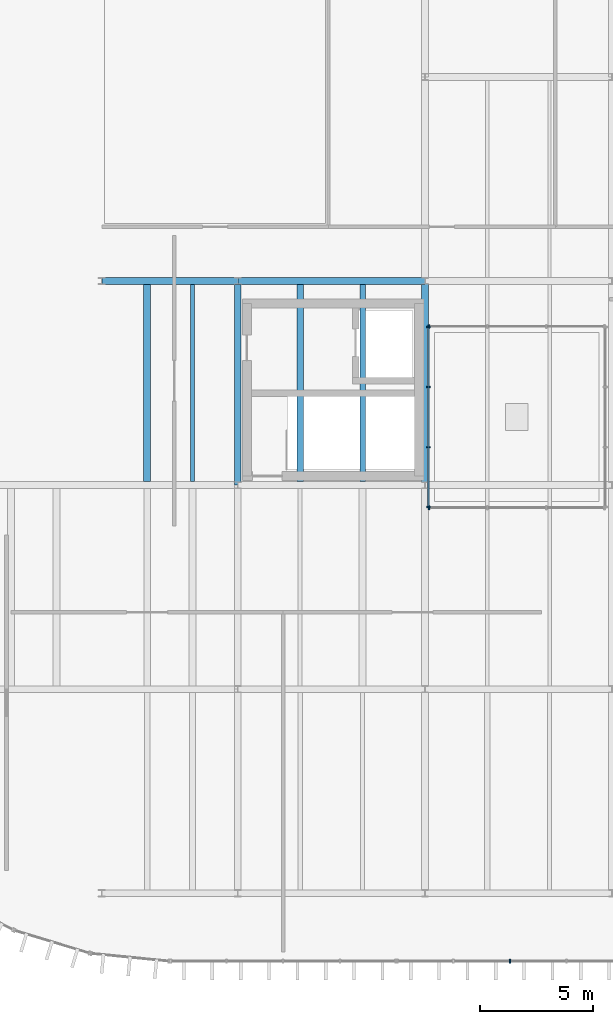
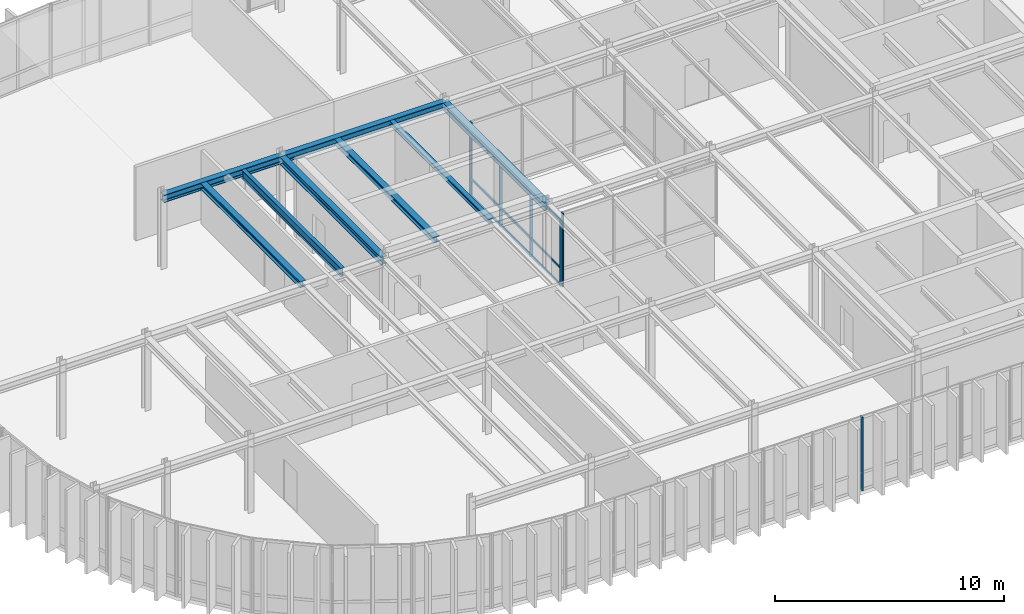
# One storey, part 9 of 21: 10 members, 8 beams, 4 elements without a shape of their own.
"""IFC4 building model written with IfcOpenShell, lengths in metres."""

import ifcopenshell
import ifcopenshell.guid

model = None  # the IFC model being written
_history = None  # IfcOwnerHistory: only IFC2X3 demands one
_inside = {}  # id of a spatial element -> (the spatial element, [elements in it])
_under = {}  # id of a project, library or spatial element -> (it, [spatial elements below it])
_declared = {}  # id of a project -> (the project, [libraries it declares])
_typed = {}  # id of a type object -> (the type object, [elements of that type])
_made_of = {}  # id of a material, layer set ... -> (it, [elements and type objects made of it])


def new_model(schema):
    """Start an empty IFC model of exactly this schema.

    Asked for "IFC4X3", IfcOpenShell would pick the latest addendum, in which some entities
    have other attributes; the version numbers below select the first issue.
    IFC2X3 requires an IfcOwnerHistory on every rooted entity: one is made here for all.
    """
    global model, _history
    if schema == "IFC4X3":
        model = ifcopenshell.file(schema_version=(4, 3, 0, 0))
    else:
        model = ifcopenshell.file(schema=schema)
    _inside.clear()
    _under.clear()
    _declared.clear()
    _typed.clear()
    _made_of.clear()
    _history = None
    if model.schema == "IFC2X3":
        org = make("IfcOrganization", Name="unknown")
        user = make(
            "IfcPersonAndOrganization",
            ThePerson=make("IfcPerson", FamilyName="unknown"),
            TheOrganization=org,
        )
        app = make(
            "IfcApplication",
            ApplicationDeveloper=org,
            Version="unknown",
            ApplicationFullName="unknown",
            ApplicationIdentifier="unknown",
        )
        _history = make(
            "IfcOwnerHistory",
            OwningUser=user,
            OwningApplication=app,
            ChangeAction="ADDED",
            CreationDate=0,
        )
    return model


def make(cls, **values):
    """One entity of the class cls with the attributes given. An attribute that is None is left unset."""
    return model.create_entity(
        cls, **{name: value for name, value in values.items() if value is not None}
    )


def rooted(cls, **values):
    """An entity with a GlobalId (a new one), such as an element, a storey or a relation."""
    return make(cls, GlobalId=ifcopenshell.guid.new(), OwnerHistory=_history, **values)


def si_unit(unit_type, name, prefix=None):
    """IfcSIUnit, for example si_unit("LENGTHUNIT", "METRE", prefix="MILLI")."""
    return make("IfcSIUnit", UnitType=unit_type, Prefix=prefix, Name=name)


def assignment(units):
    """IfcUnitAssignment: the units of a project."""
    return None if units is None else make("IfcUnitAssignment", Units=units)


def point(xyz):
    """IfcCartesianPoint."""
    return None if xyz is None else make("IfcCartesianPoint", Coordinates=xyz)


def direction(xyz):
    """IfcDirection."""
    return None if xyz is None else make("IfcDirection", DirectionRatios=xyz)


def frame(location, z_axis=None, x_axis=None):
    """IfcAxis2Placement3D, a coordinate frame: its origin and axes. An axis left out is left unset."""
    return make(
        "IfcAxis2Placement3D",
        Location=point(location),
        Axis=direction(z_axis),
        RefDirection=direction(x_axis),
    )


def frame_2d(location, x_axis=None):
    """IfcAxis2Placement2D, a coordinate frame in the plane: its origin and x axis."""
    return make(
        "IfcAxis2Placement2D", Location=point(location), RefDirection=direction(x_axis)
    )


def origin():
    """The frame at (0, 0, 0) with its axes left unset."""
    return frame((0.0, 0.0, 0.0))


def origin_2d():
    """The frame at (0, 0) in the plane with its x axis left unset."""
    return frame_2d((0.0, 0.0))


def place(relative_to, where):
    """IfcLocalPlacement: puts the frame where relative to a parent placement (None: the world)."""
    return make(
        "IfcLocalPlacement", PlacementRelTo=relative_to, RelativePlacement=where
    )


def context(
    kind, dimensions, precision=None, world=None, true_north=None, identifier=None
):
    """IfcGeometricRepresentationContext, for example the 3D "Model" context."""
    return make(
        "IfcGeometricRepresentationContext",
        ContextIdentifier=identifier,
        ContextType=kind,
        CoordinateSpaceDimension=dimensions,
        Precision=precision,
        WorldCoordinateSystem=world,
        TrueNorth=true_north,
    )


def subcontext(parent, identifier, kind, view, scale=None):
    """IfcGeometricRepresentationSubContext, for example "Body" below "Model"."""
    return make(
        "IfcGeometricRepresentationSubContext",
        ContextIdentifier=identifier,
        ContextType=kind,
        ParentContext=parent,
        TargetScale=scale,
        TargetView=view,
    )


def project(units=None, contexts=None):
    """IfcProject with its units and contexts."""
    return rooted(
        "IfcProject",
        Name="project",
        RepresentationContexts=contexts,
        UnitsInContext=assignment(units),
    )


def spatial(cls, under=None, at=None, **own):
    """A site, building, storey or space (cls), placed at a placement, below another one or the project."""
    s = rooted(cls, ObjectPlacement=at, **own)
    if under is not None:
        _under.setdefault(under.id(), (under, []))[1].append(s)
    return s


def profile(cls, at=None, kind="AREA", **sizes):
    """A parametric profile (cls). Its sizes go by their IFC names, for example OverallWidth=200.0."""
    return make(cls, ProfileType=kind, Position=at, **sizes)


def rectangle(**sizes):
    """IfcRectangleProfileDef."""
    return profile("IfcRectangleProfileDef", **sizes)


def i_section(**sizes):
    """IfcIShapeProfileDef."""
    return profile("IfcIShapeProfileDef", **sizes)


def extrude(swept, where, along, depth):
    """IfcExtrudedAreaSolid: the profile swept, set in the frame where, extruded along a direction by depth."""
    return make(
        "IfcExtrudedAreaSolid",
        SweptArea=swept,
        Position=where,
        ExtrudedDirection=direction(along),
        Depth=depth,
    )


def shape(context_of_items, identifier, shape_type, items):
    """IfcShapeRepresentation: the items that make up one representation, for example the "Body"."""
    return make(
        "IfcShapeRepresentation",
        ContextOfItems=context_of_items,
        RepresentationIdentifier=identifier,
        RepresentationType=shape_type,
        Items=items,
    )


def material(Name=None, Category=None):
    """IfcMaterial."""
    return make("IfcMaterial", Name=Name, Category=Category)


def layer(
    of_material, thickness, ventilated=None, Name=None, Category=None, Priority=None
):
    """IfcMaterialLayer: one layer of a wall or slab, of a material (None: an air gap)."""
    return make(
        "IfcMaterialLayer",
        Material=of_material,
        LayerThickness=thickness,
        IsVentilated=ventilated,
        Name=Name,
        Category=Category,
        Priority=Priority,
    )


def layer_set(layers, Name=None):
    """IfcMaterialLayerSet."""
    return make("IfcMaterialLayerSet", MaterialLayers=layers, LayerSetName=Name)


def material_profile(
    of_material, cross_section, Name=None, Category=None, Priority=None
):
    """IfcMaterialProfile: a cross section and its material."""
    return make(
        "IfcMaterialProfile",
        Name=Name,
        Material=of_material,
        Profile=cross_section,
        Priority=Priority,
        Category=Category,
    )


def profile_set(profiles, Name=None, composite=None):
    """IfcMaterialProfileSet."""
    return make(
        "IfcMaterialProfileSet",
        Name=Name,
        MaterialProfiles=profiles,
        CompositeProfile=composite,
    )


def made_of(thing, what):
    """Note that an element or type object is made of a material, layer set ...; save() writes the relation."""
    if what is not None:
        _made_of.setdefault(what.id(), (what, []))[1].append(thing)
    return thing


def type_object(cls, material=None, **own):
    """A type object (cls), such as IfcWallType, which elements share."""
    return made_of(rooted(cls, **own), material)


def element(
    cls,
    number,
    at=None,
    inside=None,
    cuts=None,
    type_object=None,
    material=None,
    context=None,
    identifier="Body",
    shape_type=None,
    held_by="IfcProductDefinitionShape",
    body=None,
    shapes=None,
    **own,
):
    """One element of the class cls, such as IfcWall. Its Tag is "e" and its number.

    at: its placement. inside: the storey or other place that contains it. cuts: it is an
    opening in that element (IfcRelVoidsElement). A single representation is given by context,
    identifier, shape_type and body (its items); several are given by shapes. held_by: the class
    of the entity that holds the representations. save() writes the other relations.
    """
    e = rooted(cls, Tag="e%d" % number, ObjectPlacement=at, **own)
    if body is not None:
        shapes = [shape(context, identifier, shape_type, body)]
    if shapes is not None:
        e.Representation = make(held_by, Representations=shapes)
    if inside is not None:
        _inside.setdefault(inside.id(), (inside, []))[1].append(e)
    if cuts is not None:
        rooted(
            "IfcRelVoidsElement", RelatingBuildingElement=cuts, RelatedOpeningElement=e
        )
    if type_object is not None:
        _typed.setdefault(type_object.id(), (type_object, []))[1].append(e)
    return made_of(e, material)


def aggregate(whole, parts):
    """IfcRelAggregates: a whole, such as a stair, and the parts it consists of."""
    return rooted("IfcRelAggregates", RelatingObject=whole, RelatedObjects=parts)


def save(model, path):
    """Write the relations noted so far, then the file.

    IfcRelAggregates (storeys below a building ...), IfcRelContainedInSpatialStructure (elements
    in a storey), IfcRelDefinesByType, IfcRelAssociatesMaterial and IfcRelDeclares: one each for
    every whole, place, type object, material and project.
    """
    for whole, parts in _under.values():
        aggregate(whole, parts)
    for where, things in _inside.values():
        rooted(
            "IfcRelContainedInSpatialStructure",
            RelatedElements=things,
            RelatingStructure=where,
        )
    for kind, things in _typed.values():
        rooted("IfcRelDefinesByType", RelatedObjects=things, RelatingType=kind)
    for what, things in _made_of.values():
        rooted("IfcRelAssociatesMaterial", RelatedObjects=things, RelatingMaterial=what)
    for by, libraries in _declared.values():
        rooted("IfcRelDeclares", RelatingContext=by, RelatedDefinitions=libraries)
    model.write(path)


model = new_model("IFC4")

# Units and contexts
model_context = context("Model", 3, precision=1e-05, world=origin(), true_north=direction((0.0, 1.0)))
body_context = subcontext(model_context, "Body", "Model", "MODEL_VIEW")
ifc_project = project(units=[si_unit("LENGTHUNIT", "METRE"), si_unit("AREAUNIT", "SQUARE_METRE"), si_unit("VOLUMEUNIT", "CUBIC_METRE"), si_unit("PLANEANGLEUNIT", "RADIAN"), si_unit("MASSUNIT", "GRAM", prefix="KILO")], contexts=[model_context])

# Site, building, storey
site_placement = place(None, origin())
site = spatial("IfcSite", under=ifc_project, at=site_placement, CompositionType="ELEMENT")
building_placement = place(site_placement, origin())
building = spatial("IfcBuilding", under=site, at=building_placement, Name="Montealbar Specialist Clinic", CompositionType="ELEMENT")
storey_placement = place(building_placement, frame((0.0, 0.0, 26.39990234375)))
storey = spatial("IfcBuildingStorey", under=building, at=storey_placement, Name="L06", CompositionType="ELEMENT", Elevation=26.39990234375)

# Beams
ifc_material_1 = material(Name="Steel S355", Category="steel")
ifc_material_profile_1 = material_profile(ifc_material_1, i_section(OverallWidth=0.300048828125, OverallDepth=0.39990234375, WebThickness=0.013427734375, FlangeThickness=0.02392578125, FilletRadius=0.027099609375, at=origin_2d()), Name="HEB 400", Category="steel")
ifc_profile_set_1 = profile_set([ifc_material_profile_1], Name="Steel S355")
beam_type_1 = type_object("IfcBeamType", Name="BM-GIRD-HEB400-EXT", PredefinedType="BEAM", material=ifc_profile_set_1)
beam_1_placement = place(storey_placement, frame((60.0, 36.0, 3.72998046875), z_axis=(1.0, 0.0, 0.0), x_axis=(0.0, 1.0, 0.0)))
element("IfcBeam", 1, at=beam_1_placement, inside=storey, type_object=beam_type_1, Name="Beam GX-L06-600-660-360", PredefinedType="BEAM", context=body_context, shape_type="SweptSolid", body=[
    extrude(i_section(OverallWidth=0.300048828125, OverallDepth=0.39990234375, WebThickness=0.013427734375, FlangeThickness=0.02392578125, FilletRadius=0.027099609375, at=origin_2d()), origin(), (0.0, 0.0, 1.0), 6.0),
])
beam_2_placement = place(storey_placement, frame((66.0, 36.0, 3.72998046875), z_axis=(1.0, 0.0, 0.0), x_axis=(0.0, 1.0, 0.0)))
element("IfcBeam", 2, at=beam_2_placement, inside=storey, type_object=beam_type_1, Name="Beam GX-L06-660-742-360", PredefinedType="BEAM", context=body_context, shape_type="SweptSolid", body=[
    extrude(i_section(OverallWidth=0.300048828125, OverallDepth=0.39990234375, WebThickness=0.013427734375, FlangeThickness=0.02392578125, FilletRadius=0.027099609375, at=origin_2d()), origin(), (0.0, 0.0, 1.0), 8.25),
])
for number, where, z_axis, x_axis, name in (
    (3, (66.0, 27.0, 3.72998046875), (0.0, 1.0, 0.0), (-1.0, 0.0, 0.0), "Beam GY-L06-660-270-360"),
    (4, (74.25, 27.0, 3.72998046875), (0.0, 1.0, 0.0), (-1.0, 0.0, 0.0), "Beam GY-L06-742-270-360"),
):
    element("IfcBeam", number, at=place(storey_placement, frame(where, z_axis=z_axis, x_axis=x_axis)), inside=storey, type_object=beam_type_1, Name=name, PredefinedType="BEAM", context=body_context, shape_type="SweptSolid", body=[
        extrude(i_section(OverallWidth=0.300048828125, OverallDepth=0.39990234375, WebThickness=0.013427734375, FlangeThickness=0.02392578125, FilletRadius=0.027099609375, at=origin_2d()), origin(), (0.0, 0.0, 1.0), 9.0),
    ])
ifc_material_profile_2 = material_profile(ifc_material_1, i_section(OverallWidth=0.300048828125, OverallDepth=0.320068359375, WebThickness=0.011474609375, FlangeThickness=0.0205078125, FilletRadius=0.027099609375, at=origin_2d()), Name="HEB 320", Category="steel")
ifc_profile_set_2 = profile_set([ifc_material_profile_2], Name="Steel S355")
beam_type_2 = type_object("IfcBeamType", Name="BM-JST-HEB320", PredefinedType="JOIST", material=ifc_profile_set_2)
beam_3_placement = place(storey_placement, frame((62.0, 27.14990234375, 3.77001953125), z_axis=(0.0, 1.0, 0.0), x_axis=(-1.0, 0.0, 0.0)))
element("IfcBeam", 5, at=beam_3_placement, inside=storey, type_object=beam_type_2, Name="Beam JST-L06-620-272-358", PredefinedType="JOIST", context=body_context, shape_type="SweptSolid", body=[
    extrude(i_section(OverallWidth=0.300048828125, OverallDepth=0.320068359375, WebThickness=0.011474609375, FlangeThickness=0.0205078125, FilletRadius=0.027099609375, at=origin_2d()), origin(), (0.0, 0.0, 1.0), 8.7001953125),
])
ifc_material_profile_3 = material_profile(ifc_material_1, i_section(OverallWidth=0.18994140625, OverallDepth=0.449951171875, WebThickness=0.009521484375, FlangeThickness=0.0146484375, FilletRadius=0.02099609375, at=origin_2d()), Name="IPE 450", Category="steel")
ifc_profile_set_3 = profile_set([ifc_material_profile_3], Name="Steel S355")
beam_type_3 = type_object("IfcBeamType", Name="BM-SEC-IPE450", PredefinedType="BEAM", material=ifc_profile_set_3)
beam_4_placement = place(storey_placement, frame((64.0, 27.14990234375, 3.705078125), z_axis=(0.0, 1.0, 0.0), x_axis=(-1.0, 0.0, 0.0)))
element("IfcBeam", 6, at=beam_4_placement, inside=storey, type_object=beam_type_3, Name="Beam JST-L06-640-272-358", PredefinedType="BEAM", context=body_context, shape_type="SweptSolid", body=[
    extrude(i_section(OverallWidth=0.18994140625, OverallDepth=0.449951171875, WebThickness=0.009521484375, FlangeThickness=0.0146484375, FilletRadius=0.02099609375, at=origin_2d()), origin(), (0.0, 0.0, 1.0), 8.7001953125),
])
ifc_material_profile_4 = material_profile(ifc_material_1, i_section(OverallWidth=0.239990234375, OverallDepth=0.22998046875, WebThickness=0.007568359375, FlangeThickness=0.011962890625, FilletRadius=0.02099609375, at=origin_2d()), Name="HEA 240", Category="steel")
ifc_profile_set_4 = profile_set([ifc_material_profile_4], Name="Steel S355")
beam_type_4 = type_object("IfcBeamType", Name="BM-SPAND-HEA240", PredefinedType="SPANDREL", material=ifc_profile_set_4)
beam_5_placement = place(storey_placement, frame((71.5, 27.14990234375, 3.815185546875), z_axis=(0.0, 1.0, 0.0), x_axis=(-1.0, 0.0, 0.0)))
element("IfcBeam", 7, at=beam_5_placement, inside=storey, type_object=beam_type_4, Name="Beam JST-L06-715-272-358", PredefinedType="SPANDREL", context=body_context, shape_type="SweptSolid", body=[
    extrude(i_section(OverallWidth=0.239990234375, OverallDepth=0.22998046875, WebThickness=0.007568359375, FlangeThickness=0.011962890625, FilletRadius=0.02099609375, at=origin_2d()), origin(), (0.0, 0.0, 1.0), 8.7001953125),
])
ifc_material_profile_5 = material_profile(ifc_material_1, i_section(OverallWidth=0.300048828125, OverallDepth=0.2900390625, WebThickness=0.008544921875, FlangeThickness=0.013916015625, FilletRadius=0.027099609375, at=origin_2d()), Name="HEA 300", Category="steel")
ifc_profile_set_5 = profile_set([ifc_material_profile_5], Name="Steel S355")
beam_type_5 = type_object("IfcBeamType", Name="BM-SPAND-HEA300", PredefinedType="SPANDREL", material=ifc_profile_set_5)
beam_6_placement = place(storey_placement, frame((68.75, 27.14990234375, 3.78515625), z_axis=(0.0, 1.0, 0.0), x_axis=(-1.0, 0.0, 0.0)))
element("IfcBeam", 8, at=beam_6_placement, inside=storey, type_object=beam_type_5, Name="Beam JST-L06-688-272-358", PredefinedType="SPANDREL", context=body_context, shape_type="SweptSolid", body=[
    extrude(i_section(OverallWidth=0.300048828125, OverallDepth=0.2900390625, WebThickness=0.008544921875, FlangeThickness=0.013916015625, FilletRadius=0.027099609375, at=origin_2d()), origin(), (0.0, 0.0, 1.0), 8.7001953125),
])

# Curtain wall, member
ifc_material_2 = material(Name="Low-E double glazing", Category="glass")
ifc_layer_1 = layer(ifc_material_2, 0.199951171875, Name="Low-E double glazing", Category="glass")
ifc_layer_set_1 = layer_set([ifc_layer_1], Name="Low-E double glazing")
curtain_wall_type_1 = type_object("IfcCurtainWallType", Name="CW-TYPE-45", PredefinedType="NOTDEFINED", material=ifc_layer_set_1)
curtain_wall_1_placement = place(storey_placement, origin())
curtain_wall_1 = element("IfcCurtainWall", 9, at=curtain_wall_1_placement, inside=storey, type_object=curtain_wall_type_1, Name="Unitised Curtain Wall CW-L06-744-260-822-260-264", PredefinedType="NOTDEFINED")
ifc_material_3 = material(Name="Anodised aluminium EN AW-6063", Category="aluminium")
ifc_material_profile_6 = material_profile(ifc_material_3, rectangle(XDim=0.06005859375, YDim=0.159912109375, at=origin_2d()), Name="ALU 60x160", Category="aluminium")
ifc_profile_set_6 = profile_set([ifc_material_profile_6], Name="Anodised aluminium EN AW-6063")
member_type_1 = type_object("IfcMemberType", Name="CW-MUL-160", PredefinedType="MULLION", material=ifc_profile_set_6)
member_1_placement = place(storey_placement, frame((74.43505859375, 26.0, 0.0), z_axis=(0.0, 0.0, 1.0), x_axis=(1.0, 0.0, 0.0)))
member_1 = element("IfcMember", 10, at=member_1_placement, type_object=member_type_1, Name="Curtain Wall Mullion CW-L06-744-260-822-260-264-00", PredefinedType="MULLION", context=body_context, shape_type="SweptSolid", body=[
    extrude(rectangle(XDim=0.06005859375, YDim=0.159912109375, at=origin_2d()), origin(), (0.0, 0.0, 1.0), 3.93017578125),
])
aggregate(curtain_wall_1, [member_1])

curtain_wall_2_placement = place(storey_placement, origin())
curtain_wall_2 = element("IfcCurtainWall", 11, at=curtain_wall_2_placement, inside=storey, type_object=curtain_wall_type_1, Name="Unitised Curtain Wall CW-L06-822-340-744-340-264", PredefinedType="NOTDEFINED")
member_2_placement = place(storey_placement, frame((74.43505859375, 34.0, 0.0), z_axis=(0.0, 0.0, 1.0), x_axis=(-1.0, 0.0, 0.0)))
member_2 = element("IfcMember", 12, at=member_2_placement, type_object=member_type_1, Name="Curtain Wall Mullion CW-L06-822-340-744-340-264-03", PredefinedType="MULLION", context=body_context, shape_type="SweptSolid", body=[
    extrude(rectangle(XDim=0.06005859375, YDim=0.159912109375, at=origin_2d()), origin(), (0.0, 0.0, 1.0), 3.93017578125),
])
aggregate(curtain_wall_2, [member_2])

# Curtain wall, members
ifc_layer_2 = layer(ifc_material_2, 0.199951171875, Name="Low-E double glazing", Category="glass")
ifc_layer_set_2 = layer_set([ifc_layer_2], Name="Low-E double glazing")
curtain_wall_type_2 = type_object("IfcCurtainWallType", Name="CW-TYPE-46", PredefinedType="NOTDEFINED", material=ifc_layer_set_2)
curtain_wall_3_placement = place(storey_placement, origin())
curtain_wall_3 = element("IfcCurtainWall", 13, at=curtain_wall_3_placement, inside=storey, type_object=curtain_wall_type_2, Name="Unitised Curtain Wall CW-L06-744-340-744-260-264", PredefinedType="NOTDEFINED")
member_3_placement = place(storey_placement, frame((74.39990234375, 33.965087890625, 0.0), z_axis=(0.0, 0.0, 1.0), x_axis=(0.0, -1.0, 0.0)))
member_3 = element("IfcMember", 14, at=member_3_placement, type_object=member_type_1, Name="Curtain Wall Mullion CW-L06-744-340-744-260-264-00", PredefinedType="MULLION", context=body_context, shape_type="SweptSolid", body=[
    extrude(rectangle(XDim=0.06005859375, YDim=0.159912109375, at=origin_2d()), origin(), (0.0, 0.0, 1.0), 3.530029296875),
])
member_4_placement = place(storey_placement, frame((74.39990234375, 31.3330078125, 0.0), z_axis=(0.0, 0.0, 1.0), x_axis=(0.0, -1.0, 0.0)))
member_4 = element("IfcMember", 15, at=member_4_placement, type_object=member_type_1, Name="Curtain Wall Mullion CW-L06-744-340-744-260-264-01", PredefinedType="MULLION", context=body_context, shape_type="SweptSolid", body=[
    extrude(rectangle(XDim=0.06005859375, YDim=0.159912109375, at=origin_2d()), origin(), (0.0, 0.0, 1.0), 3.530029296875),
])
member_5_placement = place(storey_placement, frame((74.39990234375, 28.6669921875, 0.0), z_axis=(0.0, 0.0, 1.0), x_axis=(0.0, -1.0, 0.0)))
member_5 = element("IfcMember", 16, at=member_5_placement, type_object=member_type_1, Name="Curtain Wall Mullion CW-L06-744-340-744-260-264-02", PredefinedType="MULLION", context=body_context, shape_type="SweptSolid", body=[
    extrude(rectangle(XDim=0.06005859375, YDim=0.159912109375, at=origin_2d()), origin(), (0.0, 0.0, 1.0), 3.530029296875),
])
member_6_placement = place(storey_placement, frame((74.39990234375, 26.034912109375, 0.0), z_axis=(0.0, 0.0, 1.0), x_axis=(0.0, -1.0, 0.0)))
member_6 = element("IfcMember", 17, at=member_6_placement, type_object=member_type_1, Name="Curtain Wall Mullion CW-L06-744-340-744-260-264-03", PredefinedType="MULLION", context=body_context, shape_type="SweptSolid", body=[
    extrude(rectangle(XDim=0.06005859375, YDim=0.159912109375, at=origin_2d()), origin(), (0.0, 0.0, 1.0), 3.530029296875),
])

# Curtain wall, member
ifc_layer_3 = layer(ifc_material_2, 0.199951171875, Name="Low-E double glazing", Category="glass")
ifc_layer_set_3 = layer_set([ifc_layer_3], Name="Low-E double glazing")
curtain_wall_type_3 = type_object("IfcCurtainWallType", Name="CW-TYPE-43", PredefinedType="NOTDEFINED", material=ifc_layer_set_3)
curtain_wall_4_placement = place(storey_placement, origin())
curtain_wall_4 = element("IfcCurtainWall", 18, at=curtain_wall_4_placement, inside=storey, type_object=curtain_wall_type_3, Name="Unitised Curtain Wall CW-L06-830-60-730-60-264", PredefinedType="NOTDEFINED")
ifc_material_profile_7 = material_profile(ifc_material_3, rectangle(XDim=0.070068359375, YDim=0.179931640625, at=origin_2d()), Name="ALU 70x180", Category="aluminium")
ifc_profile_set_7 = profile_set([ifc_material_profile_7], Name="Anodised aluminium EN AW-6063")
member_type_2 = type_object("IfcMemberType", Name="CW-MUL-200", PredefinedType="MULLION", material=ifc_profile_set_7)
member_7_placement = place(storey_placement, frame((78.0, 6.0, 0.0), z_axis=(0.0, 0.0, 1.0), x_axis=(-1.0, 0.0, 0.0)))
member_7 = element("IfcMember", 19, at=member_7_placement, type_object=member_type_2, Name="Curtain Wall Mullion CW-L06-830-60-730-60-264-02", PredefinedType="MULLION", context=body_context, shape_type="SweptSolid", body=[
    extrude(rectangle(XDim=0.070068359375, YDim=0.179931640625, at=origin_2d()), origin(), (0.0, 0.0, 1.0), 3.93017578125),
])
aggregate(curtain_wall_4, [member_7])

# Member
ifc_material_4 = material(Name="Powder-coated aluminium", Category="aluminium")
ifc_material_profile_8 = material_profile(ifc_material_4, rectangle(XDim=0.06005859375, YDim=0.1201171875, at=origin_2d()), Name="ALU 60x120", Category="aluminium")
ifc_profile_set_8 = profile_set([ifc_material_profile_8], Name="Powder-coated aluminium")
member_type_3 = type_object("IfcMemberType", Name="CW-TRN-120", PredefinedType="USERDEFINED", material=ifc_profile_set_8)
member_8_placement = place(storey_placement, frame((74.39990234375, 33.949951171875, 0.0400390625), z_axis=(0.0, -1.0, 0.0), x_axis=(1.0, 0.0, 0.0)))
member_8 = element("IfcMember", 20, at=member_8_placement, type_object=member_type_3, Name="Curtain Wall Transom CW-L06-744-340-744-260-264-00", ObjectType="TRANSOM", PredefinedType="USERDEFINED", context=body_context, shape_type="SweptSolid", body=[
    extrude(rectangle(XDim=0.06005859375, YDim=0.1201171875, at=origin_2d()), origin(), (0.0, 0.0, 1.0), 7.89990234375),
])

member_9_placement = place(storey_placement, frame((74.39990234375, 33.949951171875, 0.9501953125), z_axis=(0.0, -1.0, 0.0), x_axis=(1.0, 0.0, 0.0)))
member_9 = element("IfcMember", 21, at=member_9_placement, type_object=member_type_3, Name="Curtain Wall Transom CW-L06-744-340-744-260-264-01", ObjectType="TRANSOM", PredefinedType="USERDEFINED", context=body_context, shape_type="SweptSolid", body=[
    extrude(rectangle(XDim=0.06005859375, YDim=0.1201171875, at=origin_2d()), origin(), (0.0, 0.0, 1.0), 7.89990234375),
])

member_10_placement = place(storey_placement, frame((74.39990234375, 33.949951171875, 3.489990234375), z_axis=(0.0, -1.0, 0.0), x_axis=(1.0, 0.0, 0.0)))
member_10 = element("IfcMember", 22, at=member_10_placement, type_object=member_type_3, Name="Curtain Wall Transom CW-L06-744-340-744-260-264-02", ObjectType="TRANSOM", PredefinedType="USERDEFINED", context=body_context, shape_type="SweptSolid", body=[
    extrude(rectangle(XDim=0.06005859375, YDim=0.1201171875, at=origin_2d()), origin(), (0.0, 0.0, 1.0), 7.89990234375),
])

aggregate(curtain_wall_3, [member_3, member_4, member_5, member_6, member_8, member_9, member_10])

save(model, "model.ifc")
